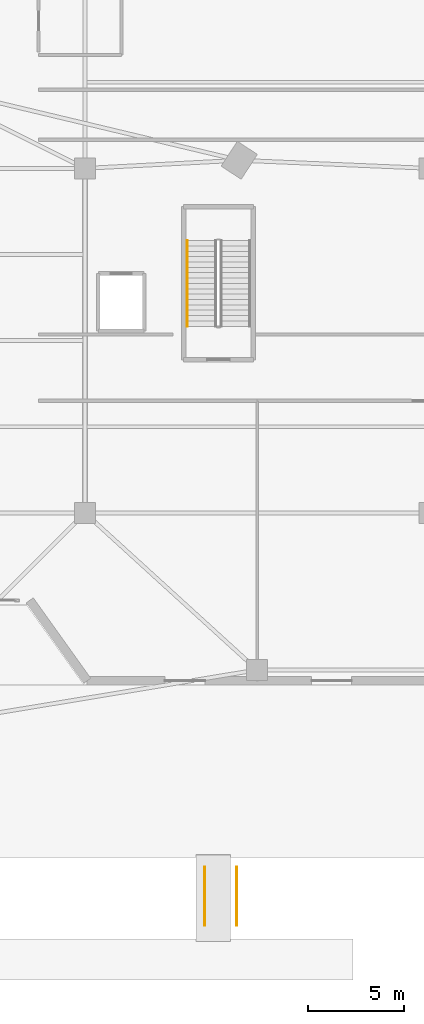
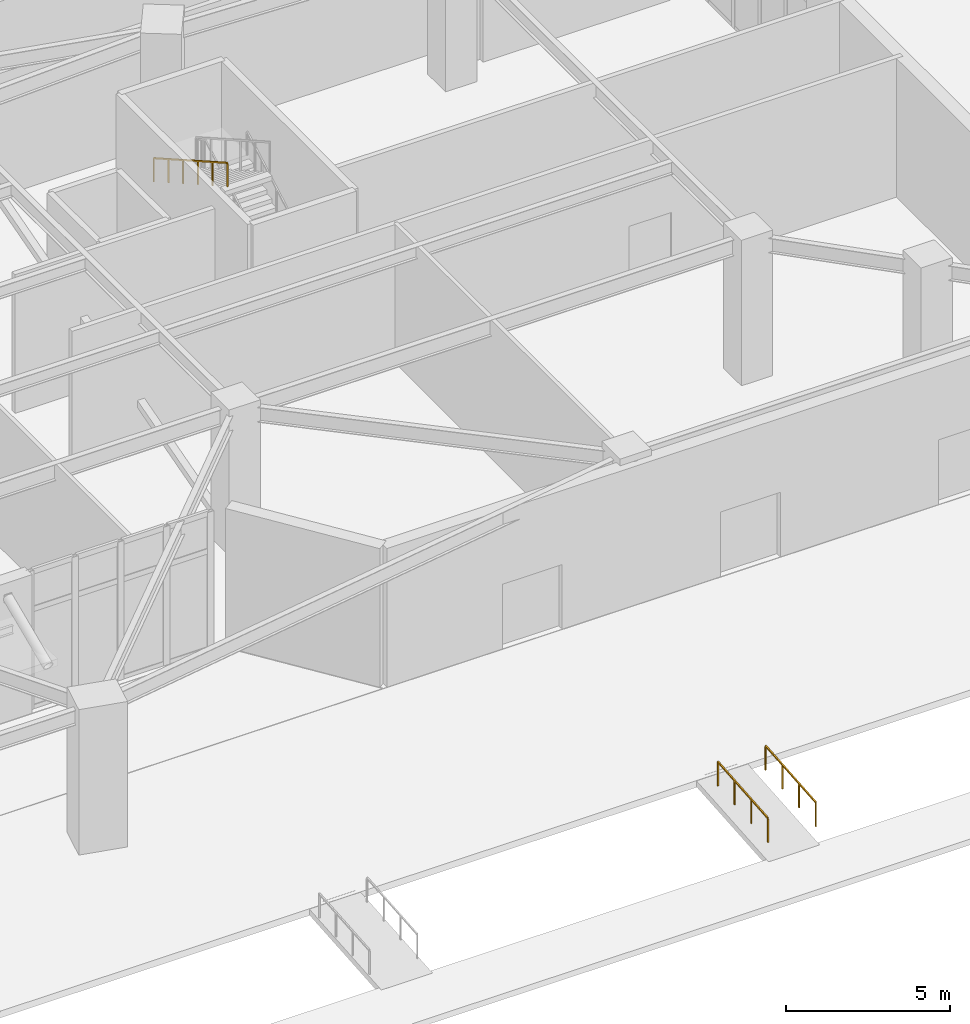
# One storey, part 27 of 30: 3 railings.
"""IFC4 building model written with IfcOpenShell, lengths in metres."""

from ifc_helpers import new_model, si_unit, direction, frame, origin, origin_2d, place, context, subcontext, project, spatial, rectangle, extrude, material, type_object, element, save


model = new_model("IFC4")

# Units and contexts
model_context = context("Model", 3, precision=1e-05, world=origin(), true_north=direction((0.0, 1.0)))
body_context = subcontext(model_context, "Body", "Model", "MODEL_VIEW")
ifc_project = project(units=[si_unit("LENGTHUNIT", "METRE"), si_unit("AREAUNIT", "SQUARE_METRE"), si_unit("VOLUMEUNIT", "CUBIC_METRE"), si_unit("PLANEANGLEUNIT", "RADIAN"), si_unit("MASSUNIT", "GRAM", prefix="KILO")], contexts=[model_context])

# Site, building, storey
site_placement = place(None, origin())
site = spatial("IfcSite", under=ifc_project, at=site_placement, CompositionType="ELEMENT")
building_placement = place(site_placement, origin())
building = spatial("IfcBuilding", under=site, at=building_placement, Name="Liaohun Quay Tower", CompositionType="ELEMENT")
storey_placement = place(building_placement, origin())
storey = spatial("IfcBuildingStorey", under=building, at=storey_placement, Name="L01", CompositionType="ELEMENT", Elevation=0.0)

# Railings
ifc_material = material(Name="Brushed stainless steel", Category="steel")
railing_type = type_object("IfcRailingType", Name="RLG-HND-STR", PredefinedType="HANDRAIL", material=ifc_material)
railing_placement = place(storey_placement, frame((83.340087890625, 38.22998046875, 2.85888671875)))
element("IfcRailing", 1, at=railing_placement, inside=storey, type_object=railing_type, Name="L01 ST-P2 stair handrail 2", PredefinedType="HANDRAIL", context=body_context, shape_type="SweptSolid", body=[
    extrude(rectangle(XDim=0.048095703125, YDim=0.048095703125, at=origin_2d()), frame((0.0, 0.0, 0.8759765625), z_axis=(0.0, -0.869825572089, 0.493359376256), x_axis=(1.0, 0.0, 0.0)), (0.0, 0.0, 1.0), 5.150390625),
    extrude(rectangle(XDim=0.0419921875, YDim=0.0419921875, at=origin_2d()), origin(), (0.0, 0.0, 1.0), 0.851806640625),
    extrude(rectangle(XDim=0.0419921875, YDim=0.0419921875, at=origin_2d()), frame((0.0, -0.89599609375, 0.50830078125)), (0.0, 0.0, 1.0), 0.851806640625),
    extrude(rectangle(XDim=0.0419921875, YDim=0.0419921875, at=origin_2d()), frame((0.0, -1.7919921875, 1.016357421875)), (0.0, 0.0, 1.0), 0.851806640625),
    extrude(rectangle(XDim=0.0419921875, YDim=0.0419921875, at=origin_2d()), frame((0.0, -2.68798828125, 1.524658203125)), (0.0, 0.0, 1.0), 0.851806640625),
    extrude(rectangle(XDim=0.0419921875, YDim=0.0419921875, at=origin_2d()), frame((0.0, -3.583984375, 2.03271484375)), (0.0, 0.0, 1.0), 0.851806640625),
    extrude(rectangle(XDim=0.0419921875, YDim=0.0419921875, at=origin_2d()), frame((0.0, -4.47998046875, 2.541015625)), (0.0, 0.0, 1.0), 0.851806640625),
])
for number, where, name in (
    (2, (84.260009765625, 2.449951171875, -0.300048828125), "L01 Accessible Promenade Ramp Handrail 4-1"),
    (3, (85.93994140625, 2.449951171875, -0.300048828125), "L01 Accessible Promenade Ramp Handrail 4-2"),
):
    element("IfcRailing", number, at=place(storey_placement, frame(where)), inside=storey, type_object=railing_type, Name=name, PredefinedType="HANDRAIL", context=body_context, shape_type="SweptSolid", body=[
        extrude(rectangle(XDim=0.048095703125, YDim=0.048095703125, at=origin_2d()), frame((0.0, 0.0, 0.89599609375), z_axis=(0.0, 0.996657627715, 0.081691940349), x_axis=(-1.0, 0.0, 0.0)), (0.0, 0.0, 1.0), 3.060302734375),
        extrude(rectangle(XDim=0.0419921875, YDim=0.0419921875, at=origin_2d()), origin(), (0.0, 0.0, 1.0), 0.871826171875),
        extrude(rectangle(XDim=0.0419921875, YDim=0.0419921875, at=origin_2d()), frame((0.0, 1.0166015625, 0.083251953125)), (0.0, 0.0, 1.0), 0.871826171875),
        extrude(rectangle(XDim=0.0419921875, YDim=0.0419921875, at=origin_2d()), frame((0.0, 2.033447265625, 0.166748046875)), (0.0, 0.0, 1.0), 0.871826171875),
        extrude(rectangle(XDim=0.0419921875, YDim=0.0419921875, at=origin_2d()), frame((0.0, 3.050048828125, 0.25)), (0.0, 0.0, 1.0), 0.871826171875),
    ])

save(model, "model.ifc")
